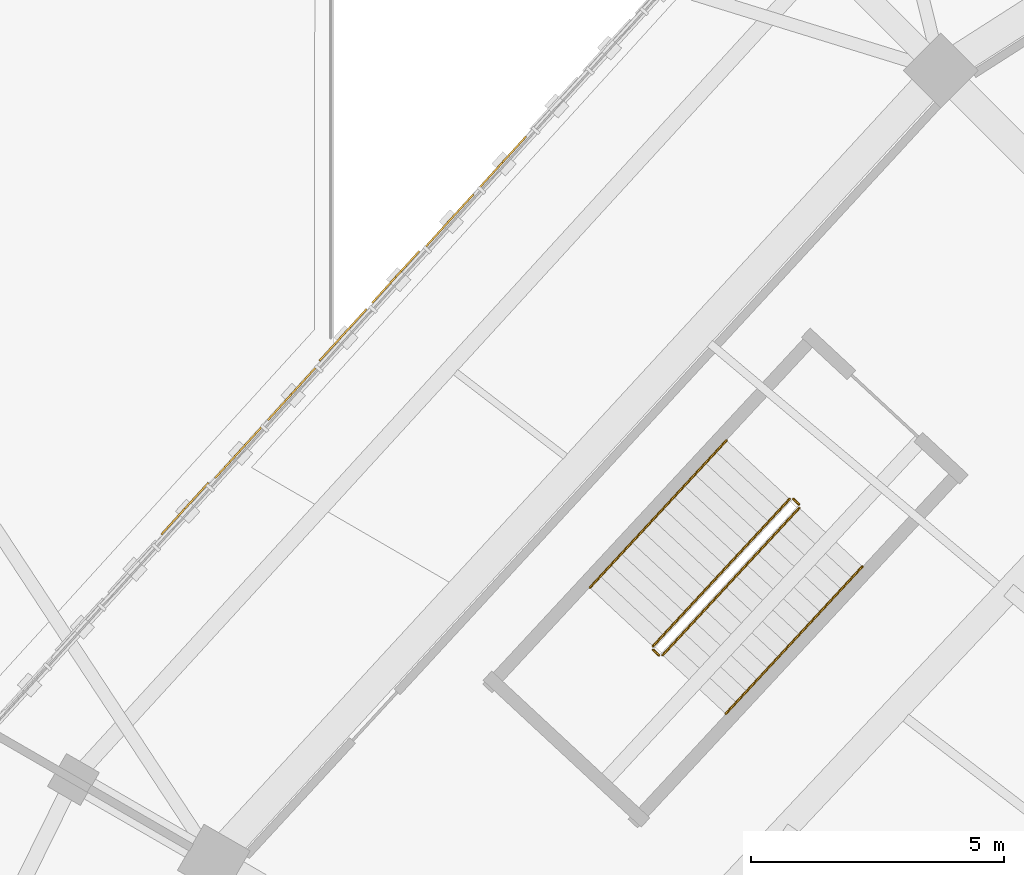
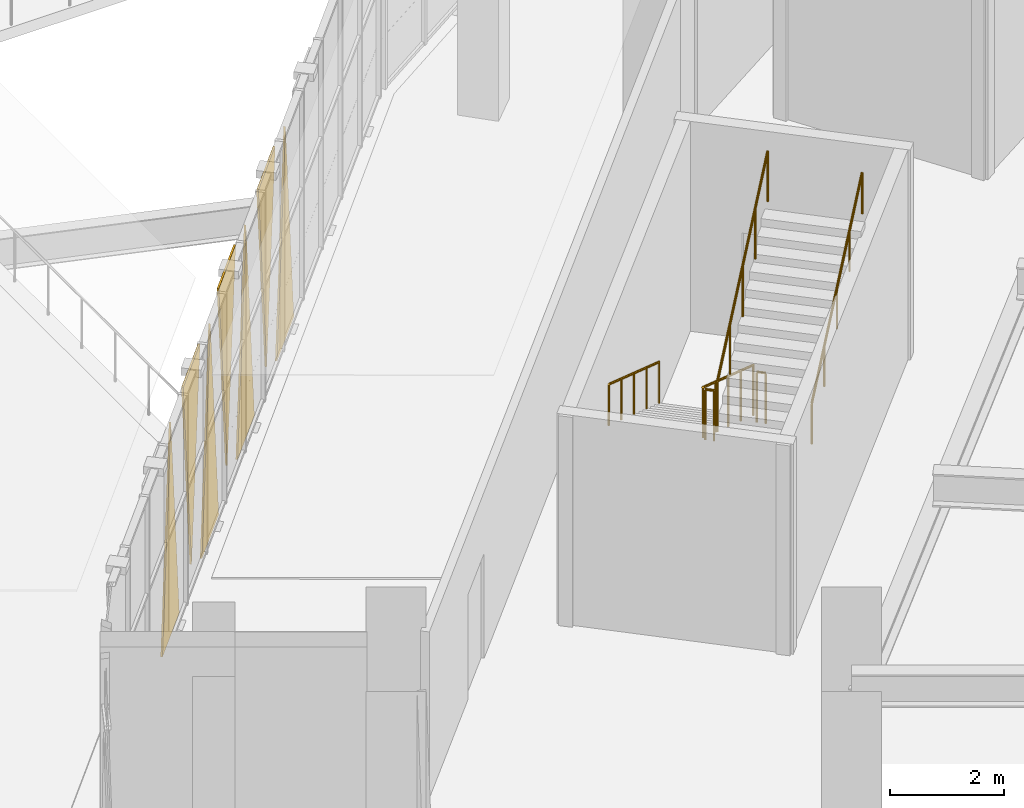
# One storey, part 158 of 179: 7 coverings, 6 railings.
"""IFC4 building model written with IfcOpenShell, lengths in metres."""

from ifc_helpers import new_model, si_unit, direction, frame, origin, origin_2d, place, context, subcontext, project, spatial, polyline, circle, outline, extrude, material, layer, layer_set, type_object, element, save


model = new_model("IFC4")

# Units and contexts
model_context = context("Model", 3, precision=1e-05, world=origin(), true_north=direction((0.0, 1.0)))
body_context = subcontext(model_context, "Body", "Model", "MODEL_VIEW")
ifc_project = project(units=[si_unit("LENGTHUNIT", "METRE"), si_unit("AREAUNIT", "SQUARE_METRE"), si_unit("VOLUMEUNIT", "CUBIC_METRE"), si_unit("PLANEANGLEUNIT", "RADIAN"), si_unit("MASSUNIT", "GRAM", prefix="KILO")], contexts=[model_context])

# Site, building, storey
site_placement = place(None, origin())
site = spatial("IfcSite", under=ifc_project, at=site_placement, CompositionType="ELEMENT")
building_placement = place(site_placement, origin())
building = spatial("IfcBuilding", under=site, at=building_placement, Name="Zevraka Park Crest Stadium", CompositionType="ELEMENT")
storey_placement = place(building_placement, frame((0.0, 0.0, 10.199951171875)))
storey = spatial("IfcBuildingStorey", under=building, at=storey_placement, Name="L02", CompositionType="ELEMENT", Elevation=10.199951171875)

# Coverings
ifc_material_1 = material(Name="Architectural golden-bronze perforated aluminium", Category="aluminium")
ifc_layer = layer(ifc_material_1, 0.034912109375)
ifc_layer_set = layer_set([ifc_layer], Name="Architectural golden-bronze perforated aluminium")
covering_type = type_object("IfcCoveringType", Name="CLD01", PredefinedType="CLADDING", material=ifc_layer_set)
covering_1_placement = place(storey_placement, frame((39.950927734375, 143.95703125, -0.239990234375), z_axis=(-0.739613201263, 0.67303216052, 0.000153045361), x_axis=(-0.673032168403, -0.739613209925, 0.0)))
element("IfcCovering", 1, at=covering_1_placement, inside=storey, type_object=covering_type, Name="Triangular Golden-Bronze Perforated Cladding L02-09-5", PredefinedType="CLADDING", context=body_context, shape_type="SweptSolid", body=[
    extrude(outline(polyline([(0.0, 0.0), (1.386057564438635, -1.3552527156068805e-20), (0.6928888504307142, 4.56005864715486), (0.0, 0.0)])), origin(), (0.0, 0.0, -1.0), 0.034912109375),
])
covering_2_placement = place(storey_placement, frame((37.97802734375, 141.7880859375, 4.47998046875), z_axis=(-0.739533400322, 0.673119848173, 0.000140726678), x_axis=(0.673119854838, 0.739533407645, 0.0)))
element("IfcCovering", 2, at=covering_2_placement, inside=storey, type_object=covering_type, Name="Triangular Golden-Bronze Perforated Cladding L02-09-6", PredefinedType="CLADDING", context=body_context, shape_type="SweptSolid", body=[
    extrude(outline(polyline([(0.0, 0.0), (1.3858770045481608, 1.3552527156068805e-20), (0.6930530987176917, 4.260009807807614), (0.0, 0.0)])), origin(), (0.0, 0.0, -1.0), 0.034912109375),
])
covering_3_placement = place(storey_placement, frame((37.8701171875, 141.669921875, -0.239990234375), z_axis=(0.739445710181, -0.673216175396, 0.000151264791), x_axis=(-0.673216183098, -0.73944571864, 0.0)))
element("IfcCovering", 3, at=covering_3_placement, inside=storey, type_object=covering_type, Name="Triangular Golden-Bronze Perforated Cladding L02-09-7", PredefinedType="CLADDING", context=body_context, shape_type="SweptSolid", body=[
    extrude(outline(polyline([(0.0, 0.0), (1.3860413522097383, 0.0), (0.6929883374644674, -4.560058645919435), (0.0, 0.0)])), origin(), (0.0, 0.0, -1.0), 0.034912109375),
])
covering_4_placement = place(storey_placement, frame((35.89599609375, 139.501953125, 4.47998046875), z_axis=(0.73952552216, -0.673128493854, 0.000181206503), x_axis=(0.673128504906, 0.739525534301, 0.0)))
element("IfcCovering", 4, at=covering_4_placement, inside=storey, type_object=covering_type, Name="Triangular Golden-Bronze Perforated Cladding L02-09-8", PredefinedType="CLADDING", context=body_context, shape_type="SweptSolid", body=[
    extrude(outline(polyline([(0.0, 0.0), (1.386221890693398, -2.710505431213761e-20), (0.6929882508091156, -4.26000983556541), (0.0, 0.0)])), origin(), (0.0, 0.0, -1.0), 0.034912109375),
])
covering_5_placement = place(storey_placement, frame((35.7880859375, 139.384033203125, -0.239990234375), z_axis=(-0.739525527736, 0.67312849893, 0.000133244662), x_axis=(-0.673128504906, -0.739525534301, 0.0)))
element("IfcCovering", 5, at=covering_5_placement, inside=storey, type_object=covering_type, Name="Triangular Golden-Bronze Perforated Cladding L02-09-9", PredefinedType="CLADDING", context=body_context, shape_type="SweptSolid", body=[
    extrude(outline(polyline([(0.0, 0.0), (1.386221890693398, 0.0), (0.6930530916581348, 4.560058634229961), (0.0, 0.0)])), origin(), (0.0, 0.0, -1.0), 0.034912109375),
])
covering_6_placement = place(storey_placement, frame((33.81494140625, 137.215087890625, 4.47998046875), z_axis=(-0.739445708947, 0.673216174272, 0.00016191895), x_axis=(0.673216183098, 0.73944571864, 0.0)))
element("IfcCovering", 6, at=covering_6_placement, inside=storey, type_object=covering_type, Name="Triangular Golden-Bronze Perforated Cladding L02-09-10", PredefinedType="CLADDING", context=body_context, shape_type="SweptSolid", body=[
    extrude(outline(polyline([(0.0, 0.0), (1.3860413522097383, -1.3552527156068805e-20), (0.693053014745271, 4.2600098214689295), (0.0, 0.0)])), origin(), (0.0, 0.0, -1.0), 0.034912109375),
])
covering_7_placement = place(storey_placement, frame((33.70703125, 137.096923828125, -0.239990234375), z_axis=(0.739445718622, -0.673216183081, 7.091716e-06), x_axis=(-0.673216183098, -0.73944571864, 0.0)))
element("IfcCovering", 7, at=covering_7_placement, inside=storey, type_object=covering_type, Name="Triangular Golden-Bronze Perforated Cladding L02-09-11", PredefinedType="CLADDING", context=body_context, shape_type="SweptSolid", body=[
    extrude(outline(polyline([(0.0, 0.0), (1.3860413522097383, -8.470329472543003e-22), (0.6937104524240771, -4.560058593864668), (0.0, 0.0)])), origin(), (0.0, 0.0, -1.0), 0.034912109375),
])

# Railings
ifc_material_2 = material(Name="Powder-coated tubular steel stairwell guard", Category="steel")
railing_type_1 = type_object("IfcRailingType", Name="GR03", PredefinedType="GUARDRAIL", material=ifc_material_2)
railing_1_placement = place(storey_placement, frame((45.1650390625, 136.787109375, 0.17138671875)))
element("IfcRailing", 8, at=railing_1_placement, inside=storey, type_object=railing_type_1, Name="L02 ST10 stair guard 1", PredefinedType="GUARDRAIL", context=body_context, shape_type="SweptSolid", body=[
    extrude(circle(Radius=0.02392578125, at=origin_2d()), frame((0.0, 0.0, 1.076171875), z_axis=(-0.593000427987, -0.638946152675, 0.489998271822), x_axis=(0.732968909084, -0.680262139412, 0.0)), (0.0, 0.0, 1.0), 4.548583984375),
    extrude(circle(Radius=0.02099609375, at=origin_2d()), origin(), (0.0, 0.0, 1.0), 1.052001953125),
    extrude(circle(Radius=0.02099609375, at=origin_2d()), frame((-0.67431640625, -0.7265625, 0.55712890625)), (0.0, 0.0, 1.0), 1.052001953125),
    extrude(circle(Radius=0.02099609375, at=origin_2d()), frame((-1.3486328125, -1.453125, 1.1142578125)), (0.0, 0.0, 1.0), 1.052001953125),
    extrude(circle(Radius=0.02099609375, at=origin_2d()), frame((-2.02294921875, -2.1796875, 1.671630859375)), (0.0, 0.0, 1.0), 1.052001953125),
    extrude(circle(Radius=0.02099609375, at=origin_2d()), frame((-2.697265625, -2.90625, 2.228759765625)), (0.0, 0.0, 1.0), 1.052001953125),
])
railing_2_placement = place(storey_placement, frame((42.470458984375, 133.810302734375, 2.400146484375)))
element("IfcRailing", 9, at=railing_2_placement, inside=storey, type_object=railing_type_1, Name="L02 ST10 stair guard 2", PredefinedType="GUARDRAIL", context=body_context, shape_type="SweptSolid", body=[
    extrude(circle(Radius=0.02392578125, at=origin_2d()), frame((0.0, 0.0, 1.076171875), z_axis=(0.732576022975, -0.680685221348, 0.0), x_axis=(0.680685221348, 0.732576022975, 0.0)), (0.0, 0.0, 1.0), 0.159912109375),
    extrude(circle(Radius=0.02099609375, at=origin_2d()), origin(), (0.0, 0.0, 1.0), 1.052001953125),
    extrude(circle(Radius=0.02099609375, at=origin_2d()), frame((0.1171875, -0.10888671875, 0.0)), (0.0, 0.0, 1.0), 1.052001953125),
])
railing_3_placement = place(storey_placement, frame((42.658447265625, 133.7041015625, 2.571533203125)))
element("IfcRailing", 10, at=railing_3_placement, inside=storey, type_object=railing_type_1, Name="L02 ST10 stair guard 3", PredefinedType="GUARDRAIL", context=body_context, shape_type="SweptSolid", body=[
    extrude(circle(Radius=0.02392578125, at=origin_2d()), frame((0.0, 0.0, 1.076171875), z_axis=(0.593016024023, 0.638962957094, 0.489957482557), x_axis=(-0.732968909084, 0.680262139412, 0.0)), (0.0, 0.0, 1.0), 4.54833984375),
    extrude(circle(Radius=0.02099609375, at=origin_2d()), origin(), (0.0, 0.0, 1.0), 1.052001953125),
    extrude(circle(Radius=0.02099609375, at=origin_2d()), frame((0.67431640625, 0.7265625, 0.55712890625)), (0.0, 0.0, 1.0), 1.052001953125),
    extrude(circle(Radius=0.02099609375, at=origin_2d()), frame((1.3486328125, 1.453125, 1.1142578125)), (0.0, 0.0, 1.0), 1.052001953125),
    extrude(circle(Radius=0.02099609375, at=origin_2d()), frame((2.02294921875, 2.1796875, 1.67138671875)), (0.0, 0.0, 1.0), 1.052001953125),
    extrude(circle(Radius=0.02099609375, at=origin_2d()), frame((2.697265625, 2.90625, 2.228515625)), (0.0, 0.0, 1.0), 1.052001953125),
])
railing_4_placement = place(storey_placement, frame((45.23583984375, 136.789794921875, 0.0)))
element("IfcRailing", 11, at=railing_4_placement, inside=storey, type_object=railing_type_1, Name="L02 ST10 stair guard 4", PredefinedType="GUARDRAIL", context=body_context, shape_type="SweptSolid", body=[
    extrude(circle(Radius=0.02392578125, at=origin_2d()), frame((0.0, 0.0, 1.076171875), z_axis=(0.732576022975, -0.680685221348, 0.0), x_axis=(0.680685221348, 0.732576022975, 0.0)), (0.0, 0.0, 1.0), 0.159912109375),
    extrude(circle(Radius=0.02099609375, at=origin_2d()), origin(), (0.0, 0.0, 1.0), 1.052001953125),
    extrude(circle(Radius=0.02099609375, at=origin_2d()), frame((0.1171875, -0.10888671875, 0.0)), (0.0, 0.0, 1.0), 1.052001953125),
])
ifc_material_3 = material(Name="Brushed stainless steel continuous handrail", Category="steel")
railing_type_2 = type_object("IfcRailingType", Name="HR01", PredefinedType="HANDRAIL", material=ifc_material_3)
railing_5_placement = place(storey_placement, frame((43.9189453125, 137.943603515625, 0.17138671875)))
element("IfcRailing", 12, at=railing_5_placement, inside=storey, type_object=railing_type_2, Name="L02 ST10 stair handrail 1", PredefinedType="HANDRAIL", context=body_context, shape_type="SweptSolid", body=[
    extrude(circle(Radius=0.02392578125, at=origin_2d()), frame((0.0, 0.0, 0.8759765625), z_axis=(-0.593000427987, -0.638946152675, 0.489998271822), x_axis=(0.732968909084, -0.680262139412, 0.0)), (0.0, 0.0, 1.0), 4.548583984375),
    extrude(circle(Radius=0.02099609375, at=origin_2d()), origin(), (0.0, 0.0, 1.0), 0.851806640625),
    extrude(circle(Radius=0.02099609375, at=origin_2d()), frame((-0.67431640625, -0.7265625, 0.55712890625)), (0.0, 0.0, 1.0), 0.851806640625),
    extrude(circle(Radius=0.02099609375, at=origin_2d()), frame((-1.3486328125, -1.453125, 1.1142578125)), (0.0, 0.0, 1.0), 0.851806640625),
    extrude(circle(Radius=0.02099609375, at=origin_2d()), frame((-2.02294921875, -2.1796875, 1.671630859375)), (0.0, 0.0, 1.0), 0.851806640625),
    extrude(circle(Radius=0.02099609375, at=origin_2d()), frame((-2.697265625, -2.90625, 2.228759765625)), (0.0, 0.0, 1.0), 0.851806640625),
])
railing_6_placement = place(storey_placement, frame((43.904541015625, 132.547607421875, 2.571533203125)))
element("IfcRailing", 13, at=railing_6_placement, inside=storey, type_object=railing_type_2, Name="L02 ST10 stair handrail 2", PredefinedType="HANDRAIL", context=body_context, shape_type="SweptSolid", body=[
    extrude(circle(Radius=0.02392578125, at=origin_2d()), frame((0.0, 0.0, 0.8759765625), z_axis=(0.593016024023, 0.638962957094, 0.489957482557), x_axis=(-0.732968909084, 0.680262139412, 0.0)), (0.0, 0.0, 1.0), 4.54833984375),
    extrude(circle(Radius=0.02099609375, at=origin_2d()), origin(), (0.0, 0.0, 1.0), 0.851806640625),
    extrude(circle(Radius=0.02099609375, at=origin_2d()), frame((0.67431640625, 0.7265625, 0.55712890625)), (0.0, 0.0, 1.0), 0.851806640625),
    extrude(circle(Radius=0.02099609375, at=origin_2d()), frame((1.3486328125, 1.453125, 1.1142578125)), (0.0, 0.0, 1.0), 0.851806640625),
    extrude(circle(Radius=0.02099609375, at=origin_2d()), frame((2.02294921875, 2.1796875, 1.67138671875)), (0.0, 0.0, 1.0), 0.851806640625),
    extrude(circle(Radius=0.02099609375, at=origin_2d()), frame((2.697265625, 2.90625, 2.228515625)), (0.0, 0.0, 1.0), 0.851806640625),
])

save(model, "model.ifc")
